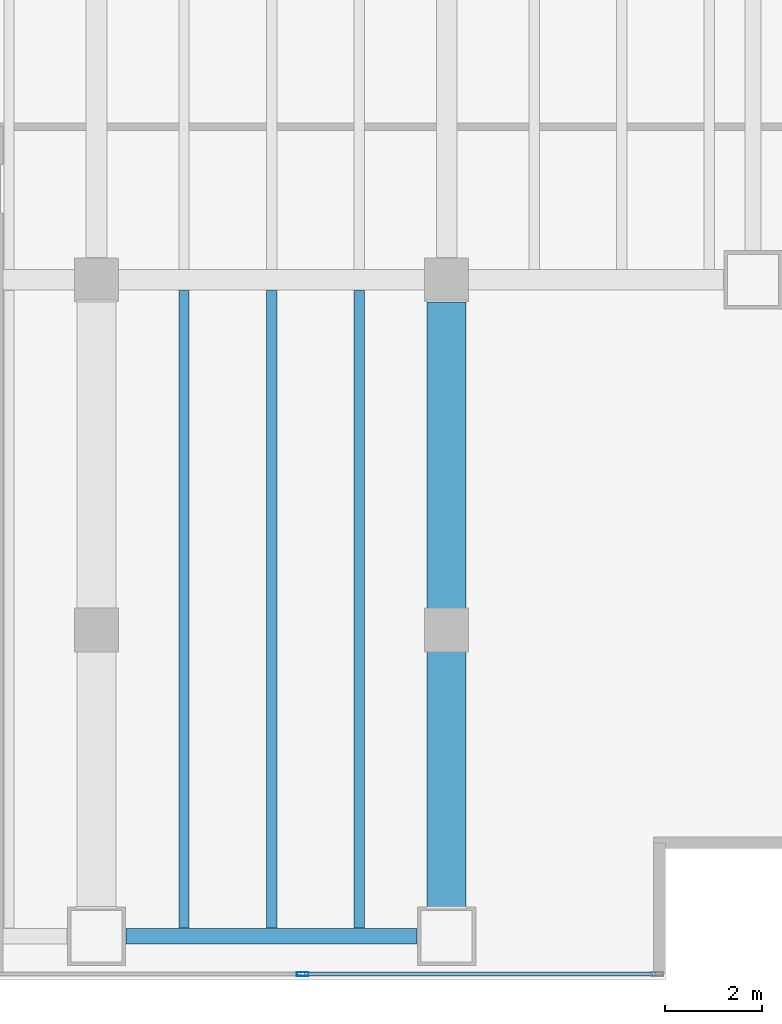
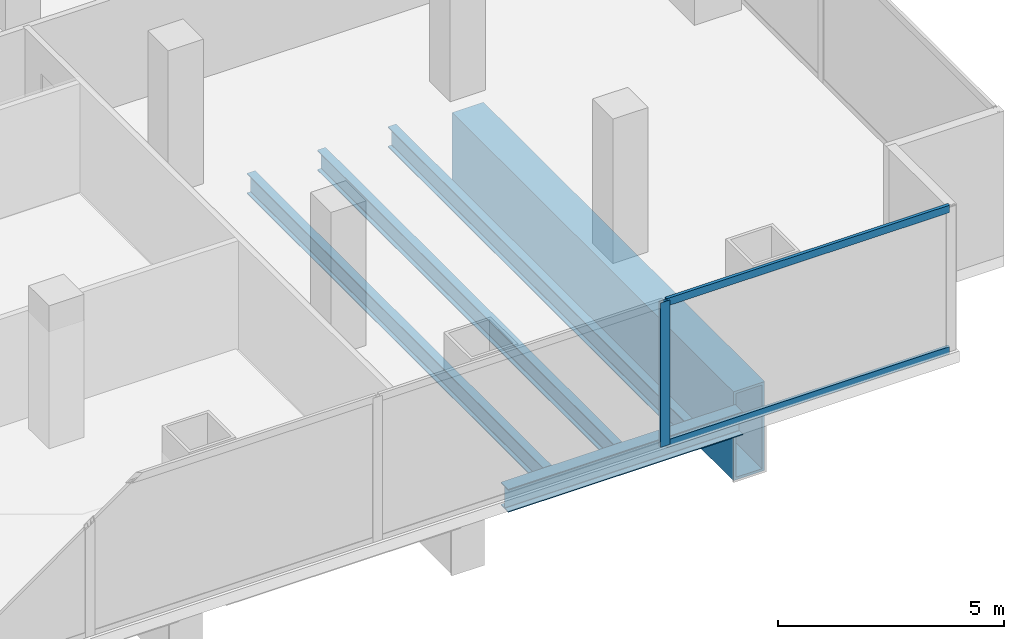
# One storey, part 18 of 34: 5 beams, 3 members, 1 element without a shape of its own.
"""IFC4 building model written with IfcOpenShell, lengths in metres."""

from ifc_helpers import new_model, si_unit, direction, frame, origin, origin_2d, place, context, subcontext, project, spatial, hollow_rectangle, i_section, extrude, material, material_profile, profile_set, type_object, element, aggregate, save


model = new_model("IFC4")

# Units and contexts
model_context = context("Model", 3, precision=1e-05, world=origin(), true_north=direction((0.0, 1.0)))
body_context = subcontext(model_context, "Body", "Model", "MODEL_VIEW")
ifc_project = project(units=[si_unit("LENGTHUNIT", "METRE"), si_unit("AREAUNIT", "SQUARE_METRE"), si_unit("VOLUMEUNIT", "CUBIC_METRE"), si_unit("PLANEANGLEUNIT", "RADIAN"), si_unit("MASSUNIT", "GRAM", prefix="KILO")], contexts=[model_context])

# Site, building, storey
site_placement = place(None, origin())
site = spatial("IfcSite", under=ifc_project, at=site_placement, CompositionType="ELEMENT")
building_placement = place(site_placement, origin())
building = spatial("IfcBuilding", under=site, at=building_placement, Name="Cobrela Telecom Tower", CompositionType="ELEMENT")
storey_placement = place(building_placement, frame((0.0, 0.0, 5.25)))
storey = spatial("IfcBuildingStorey", under=building, at=storey_placement, Name="L01", CompositionType="ELEMENT", Elevation=5.25)

# Beams
ifc_material_1 = material(Name="Steel ASTM A992 Grade 50", Category="steel")
ifc_material_profile_1 = material_profile(ifc_material_1, i_section(OverallWidth=0.212890625, OverallDepth=0.549072265625, WebThickness=0.0146484375, FlangeThickness=0.023681640625, FilletRadius=0.013916015625, at=origin_2d()), Name="W21X93")
ifc_profile_set_1 = profile_set([ifc_material_profile_1], Name="Steel ASTM A992 Grade 50")
beam_type_1 = type_object("IfcBeamType", Name="BM-JOIST-01", PredefinedType="JOIST", material=ifc_profile_set_1)
for number, where, z_axis, x_axis, name in (
    (1, (73.800048828125, 1.069091796875, -0.574462890625), (0.0, 1.0, 0.0), (-1.0, 0.0, 0.0), "L01 Secondary Composite Floor Beam J112"),
    (2, (75.60009765625, 1.069091796875, -0.574462890625), (0.0, 1.0, 0.0), (-1.0, 0.0, 0.0), "L01 Secondary Composite Floor Beam J114"),
    (3, (77.39990234375, 1.069091796875, -0.574462890625), (0.0, 1.0, 0.0), (-1.0, 0.0, 0.0), "L01 Secondary Composite Floor Beam J116"),
):
    element("IfcBeam", number, at=place(storey_placement, frame(where, z_axis=z_axis, x_axis=x_axis)), inside=storey, type_object=beam_type_1, Name=name, PredefinedType="JOIST", context=body_context, shape_type="SweptSolid", body=[
        extrude(i_section(OverallWidth=0.212890625, OverallDepth=0.549072265625, WebThickness=0.0146484375, FlangeThickness=0.023681640625, FilletRadius=0.013916015625, at=origin_2d()), origin(), (0.0, 0.0, 1.0), 13.114013671875),
    ])
ifc_material_profile_2 = material_profile(ifc_material_1, i_section(OverallWidth=0.327880859375, OverallDepth=0.6220703125, WebThickness=0.015380859375, FlangeThickness=0.0244140625, FilletRadius=0.014892578125, at=origin_2d()), Name="W24X131")
ifc_profile_set_2 = profile_set([ifc_material_profile_2], Name="Steel ASTM A992 Grade 50")
beam_type_2 = type_object("IfcBeamType", Name="BM-SPAND-01", PredefinedType="SPANDREL", material=ifc_profile_set_2)
beam_1_placement = place(storey_placement, frame((72.60498046875, 0.89990234375, -0.611083984375), z_axis=(1.0, 0.0, 0.0), x_axis=(0.0, 1.0, 0.0)))
element("IfcBeam", 4, at=beam_1_placement, inside=storey, type_object=beam_type_2, Name="L01 Perimeter Spandrel X09", PredefinedType="SPANDREL", context=body_context, shape_type="SweptSolid", body=[
    extrude(i_section(OverallWidth=0.327880859375, OverallDepth=0.6220703125, WebThickness=0.015380859375, FlangeThickness=0.0244140625, FilletRadius=0.014892578125, at=origin_2d()), origin(), (0.0, 0.0, 1.0), 5.989990234375),
])
ifc_material_2 = material(Name="Steel ASTM A572 Grade 50", Category="steel")
ifc_material_profile_3 = material_profile(ifc_material_2, hollow_rectangle(XDim=0.800048828125, YDim=2.39990234375, WallThickness=0.070068359375, at=origin_2d()), Name="BOX 2400x800x70")
ifc_profile_set_3 = profile_set([ifc_material_profile_3], Name="Steel ASTM A572 Grade 50")
beam_type_3 = type_object("IfcBeamType", Name="BM-TRG-2400", PredefinedType="USERDEFINED", material=ifc_profile_set_3)
beam_2_placement = place(storey_placement, frame((79.199951171875, 1.5048828125, -1.5), z_axis=(0.0, 1.0, 0.0), x_axis=(-1.0, 0.0, 0.0)))
element("IfcBeam", 5, at=beam_2_placement, inside=storey, type_object=beam_type_3, Name="L01 Transfer Girder 06", ObjectType="GIRDER", PredefinedType="USERDEFINED", context=body_context, shape_type="SweptSolid", body=[
    extrude(hollow_rectangle(XDim=0.800048828125, YDim=2.39990234375, WallThickness=0.070068359375, at=origin_2d()), origin(), (0.0, 0.0, 1.0), 12.440185546875),
])

# Curtain wall, members
ifc_material_3 = material(Name="Anodized Bronze Aluminium 6063-T6", Category="aluminium")
curtain_wall_type = type_object("IfcCurtainWallType", Name="CW-SYS-CONC", PredefinedType="USERDEFINED", material=ifc_material_3)
curtain_wall_placement = place(storey_placement, origin())
curtain_wall = element("IfcCurtainWall", 6, at=curtain_wall_placement, inside=storey, type_object=curtain_wall_type, Name="L01 Unitised Bronze Curtain Wall 17", ObjectType="UNITISED CURTAIN WALL", PredefinedType="USERDEFINED")
ifc_material_profile_4 = material_profile(ifc_material_3, hollow_rectangle(XDim=0.080078125, YDim=0.239990234375, WallThickness=0.0048828125, at=origin_2d()), Name="ALU 80x240x5")
ifc_profile_set_4 = profile_set([ifc_material_profile_4], Name="Anodized Bronze Aluminium 6063-T6")
member_type_1 = type_object("IfcMemberType", Name="CW-SYS-CONC-MUL", PredefinedType="MULLION", material=ifc_profile_set_4)
member_1_placement = place(storey_placement, frame((76.23828125, 0.1201171875, 0.0), z_axis=(0.0, 0.0, 1.0), x_axis=(0.0, -1.0, 0.0)))
member_1 = element("IfcMember", 7, at=member_1_placement, type_object=member_type_1, Name="CW-CONC mullion 2", PredefinedType="MULLION", context=body_context, shape_type="SweptSolid", body=[
    extrude(hollow_rectangle(XDim=0.080078125, YDim=0.239990234375, WallThickness=0.0048828125, at=origin_2d()), origin(), (0.0, 0.0, 1.0), 3.89990234375),
])
ifc_material_profile_5 = material_profile(ifc_material_3, hollow_rectangle(XDim=0.080078125, YDim=0.199951171875, WallThickness=0.00390625, at=origin_2d()), Name="ALU 80x200x4")
ifc_profile_set_5 = profile_set([ifc_material_profile_5], Name="Anodized Bronze Aluminium 6063-T6")
member_type_2 = type_object("IfcMemberType", Name="CW-SYS-CONC-TRN", PredefinedType="USERDEFINED", material=ifc_profile_set_5)
member_2_placement = place(storey_placement, frame((83.5, 0.1201171875, 0.0400390625), z_axis=(-1.0, 0.0, 0.0), x_axis=(0.0, -1.0, 0.0)))
member_2 = element("IfcMember", 8, at=member_2_placement, type_object=member_type_2, Name="CW-CONC transom 1.1", ObjectType="TRANSOM", PredefinedType="USERDEFINED", context=body_context, shape_type="SweptSolid", body=[
    extrude(hollow_rectangle(XDim=0.080078125, YDim=0.199951171875, WallThickness=0.00390625, at=origin_2d()), origin(), (0.0, 0.0, 1.0), 7.221923828125),
])
member_3_placement = place(storey_placement, frame((83.5, 0.1201171875, 3.860107421875), z_axis=(-1.0, 0.0, 0.0), x_axis=(0.0, -1.0, 0.0)))
member_3 = element("IfcMember", 9, at=member_3_placement, type_object=member_type_2, Name="CW-CONC transom 1.2", ObjectType="TRANSOM", PredefinedType="USERDEFINED", context=body_context, shape_type="SweptSolid", body=[
    extrude(hollow_rectangle(XDim=0.080078125, YDim=0.199951171875, WallThickness=0.00390625, at=origin_2d()), origin(), (0.0, 0.0, 1.0), 7.221923828125),
])
aggregate(curtain_wall, [member_1, member_2, member_3])

save(model, "model.ifc")
